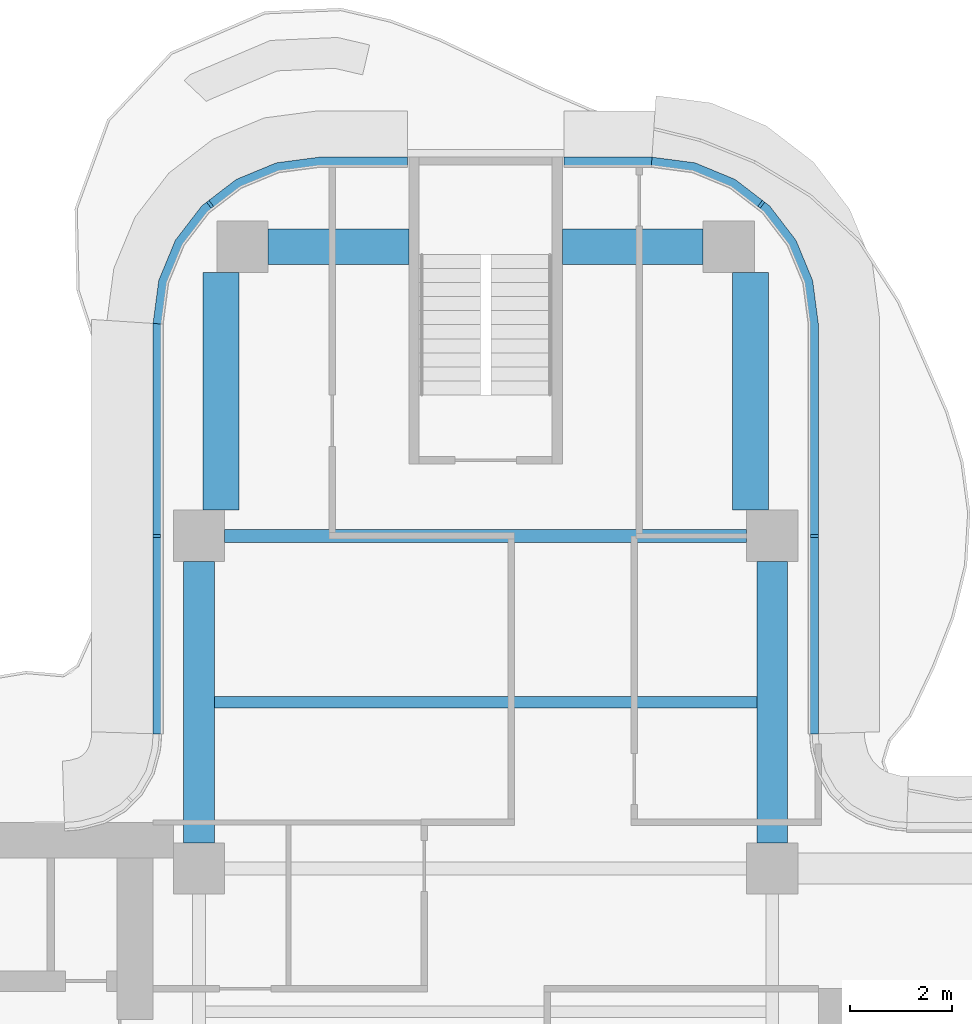
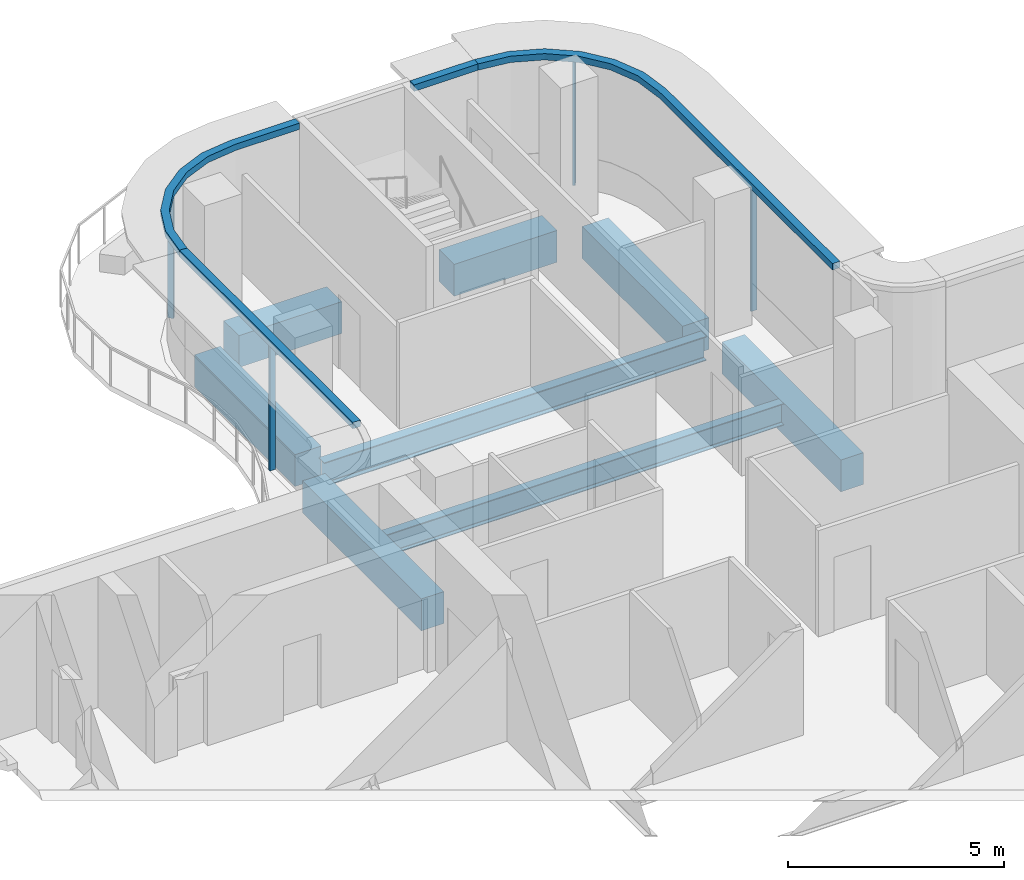
# One storey, part 7 of 16: 8 beams, 8 members, 4 elements without a shape of their own.
"""IFC4 building model written with IfcOpenShell, lengths in metres."""

from ifc_helpers import new_model, si_unit, direction, frame, origin, origin_2d, place, context, subcontext, project, spatial, polyline, rectangle, i_section, outline, extrude, source, transform, mapped, material, layer, layer_set, material_profile, profile_set, type_object, element, aggregate, save


model = new_model("IFC4")

# Units and contexts
model_context = context("Model", 3, precision=1e-05, world=origin(), true_north=direction((0.0, 1.0)))
body_context = subcontext(model_context, "Body", "Model", "MODEL_VIEW")
ifc_project = project(units=[si_unit("LENGTHUNIT", "METRE"), si_unit("AREAUNIT", "SQUARE_METRE"), si_unit("VOLUMEUNIT", "CUBIC_METRE"), si_unit("PLANEANGLEUNIT", "RADIAN"), si_unit("MASSUNIT", "GRAM", prefix="KILO")], contexts=[model_context])

# Site, building, storey
site_placement = place(None, origin())
site = spatial("IfcSite", under=ifc_project, at=site_placement, CompositionType="ELEMENT")
building_placement = place(site_placement, origin())
building = spatial("IfcBuilding", under=site, at=building_placement, Name="Trellis Farm Tower", CompositionType="ELEMENT")
storey_placement = place(building_placement, frame((0.0, 0.0, 322.300048828125)))
storey = spatial("IfcBuildingStorey", under=building, at=storey_placement, Name="L73", CompositionType="ELEMENT", Elevation=322.300048828125)

# Beams
ifc_material_1 = material(Name="Steel S355", Category="steel")
ifc_material_profile_1 = material_profile(ifc_material_1, i_section(OverallWidth=0.22900390625, OverallDepth=0.6123046875, WebThickness=0.011962890625, FlangeThickness=0.01953125, FilletRadius=0.0126953125, at=origin_2d()), Name="UB 610x229x125")
ifc_profile_set_1 = profile_set([ifc_material_profile_1], Name="Steel S355")
beam_type_1 = type_object("IfcBeamType", Name="UB 610x229x125 joist", PredefinedType="JOIST", material=ifc_profile_set_1)
shared_shape_1 = source(origin(), body_context, "Body", "SweptSolid", [
    extrude(i_section(OverallWidth=0.22900390625, OverallDepth=0.6123046875, WebThickness=0.011962890625, FlangeThickness=0.01953125, FilletRadius=0.0126953125, at=origin_2d()), origin(), (0.0, 0.0, 1.0), 10.60009765625),
])
beam_1_placement = place(storey_placement, frame((-5.300048828125, 8.85009765625, -0.506103515625), z_axis=(1.0, 0.0, 0.0), x_axis=(0.0, 1.0, 0.0)))
element("IfcBeam", 1, at=beam_1_placement, inside=storey, type_object=beam_type_1, Name="Floor beam", PredefinedType="JOIST", context=body_context, shape_type="MappedRepresentation", body=[
    mapped(shared_shape_1, transform((0.0, 0.0, 0.0))),
])
ifc_material_profile_2 = material_profile(ifc_material_1, i_section(OverallWidth=0.253662109375, OverallDepth=0.68359375, WebThickness=0.012451171875, FlangeThickness=0.021728515625, FilletRadius=0.01513671875, at=origin_2d()), Name="UB 686x254x140")
ifc_profile_set_2 = profile_set([ifc_material_profile_2], Name="Steel S355")
beam_type_2 = type_object("IfcBeamType", Name="UB 686x254x140", PredefinedType="BEAM", material=ifc_profile_set_2)
shared_shape_2 = source(origin(), body_context, "Body", "SweptSolid", [
    extrude(i_section(OverallWidth=0.253662109375, OverallDepth=0.68359375, WebThickness=0.012451171875, FlangeThickness=0.021728515625, FilletRadius=0.01513671875, at=origin_2d()), origin(), (0.0, 0.0, 1.0), 10.2001953125),
])
beam_2_placement = place(storey_placement, frame((-5.10009765625, 12.10009765625, -0.541748046875), z_axis=(1.0, 0.0, 0.0), x_axis=(0.0, 1.0, 0.0)))
element("IfcBeam", 2, at=beam_2_placement, inside=storey, type_object=beam_type_2, Name="Girder", PredefinedType="BEAM", context=body_context, shape_type="MappedRepresentation", body=[
    mapped(shared_shape_2, transform((0.0, 0.0, 0.0))),
])
ifc_material_2 = material(Name="Concrete C60/75", Category="concrete")
ifc_material_profile_3 = material_profile(ifc_material_2, rectangle(XDim=0.60009765625, YDim=0.89990234375, at=origin_2d()), Name="RC spandrel beam 600x900 C60/75")
ifc_profile_set_3 = profile_set([ifc_material_profile_3], Name="Concrete C60/75")
beam_type_3 = type_object("IfcBeamType", Name="RC spandrel beam 600x900 C60/75", PredefinedType="SPANDREL", material=ifc_profile_set_3)
shared_shape_3 = source(origin(), body_context, "Body", "SweptSolid", [
    extrude(rectangle(XDim=0.60009765625, YDim=0.89990234375, at=origin_2d()), origin(), (0.0, 0.0, 1.0), 5.5),
])
for number, where, z_axis, x_axis, name in (
    (3, (-5.60009765625, 6.10009765625, -0.650146484375), (0.0, 1.0, 0.0), (-1.0, 0.0, 0.0), "Girder"),
    (4, (5.60009765625, 6.10009765625, -0.650146484375), (0.0, 1.0, 0.0), (-1.0, 0.0, 0.0), "Girder"),
):
    element("IfcBeam", number, at=place(storey_placement, frame(where, z_axis=z_axis, x_axis=x_axis)), inside=storey, type_object=beam_type_3, Name=name, PredefinedType="SPANDREL", context=body_context, shape_type="MappedRepresentation", body=[
        mapped(shared_shape_3, transform((0.0, 0.0, 0.0))),
    ])
ifc_material_profile_4 = material_profile(ifc_material_2, rectangle(XDim=0.699951171875, YDim=0.89990234375, at=origin_2d()), Name="RC spandrel beam 700x900 C60/75")
ifc_profile_set_4 = profile_set([ifc_material_profile_4], Name="Concrete C60/75")
beam_type_4 = type_object("IfcBeamType", Name="RC spandrel beam 700x900 C60/75", PredefinedType="SPANDREL", material=ifc_profile_set_4)
shared_shape_4 = source(origin(), body_context, "Body", "SweptSolid", [
    extrude(rectangle(XDim=0.699951171875, YDim=0.89990234375, at=origin_2d()), origin(), (0.0, 0.0, 1.0), 4.64990234375),
])
for number, where, z_axis, x_axis, name in (
    (5, (-5.175048828125, 12.60009765625, -0.650146484375), (0.0, 1.0, 0.0), (-1.0, 0.0, 0.0), "Girder"),
    (6, (5.175048828125, 12.60009765625, -0.650146484375), (0.0, 1.0, 0.0), (-1.0, 0.0, 0.0), "Girder"),
):
    element("IfcBeam", number, at=place(storey_placement, frame(where, z_axis=z_axis, x_axis=x_axis)), inside=storey, type_object=beam_type_4, Name=name, PredefinedType="SPANDREL", context=body_context, shape_type="MappedRepresentation", body=[
        mapped(shared_shape_4, transform((0.0, 0.0, 0.0))),
    ])
shared_shape_5 = source(origin(), body_context, "Body", "SweptSolid", [
    extrude(rectangle(XDim=0.699951171875, YDim=0.89990234375, at=origin_2d()), origin(), (0.0, 0.0, 1.0), 2.75),
])
for number, where, z_axis, x_axis, name in (
    (7, (-4.25, 17.75, -0.650146484375), (1.0, 0.0, 0.0), (0.0, 1.0, 0.0), "Girder"),
    (8, (1.5, 17.75, -0.650146484375), (1.0, 0.0, 0.0), (0.0, 1.0, 0.0), "Girder"),
):
    element("IfcBeam", number, at=place(storey_placement, frame(where, z_axis=z_axis, x_axis=x_axis)), inside=storey, type_object=beam_type_4, Name=name, PredefinedType="SPANDREL", context=body_context, shape_type="MappedRepresentation", body=[
        mapped(shared_shape_5, transform((0.0, 0.0, 0.0))),
    ])

# Curtain wall, members
ifc_material_3 = material(Name="Aluminium and glass curtain wall", Category="aluminium")
ifc_layer_1 = layer(ifc_material_3, 0.18994140625)
ifc_layer_set_1 = layer_set([ifc_layer_1], Name="RIBBON CURTAIN WALL CW1")
curtain_wall_type = type_object("IfcCurtainWallType", Name="RIBBON CURTAIN WALL CW1", PredefinedType="NOTDEFINED", material=ifc_layer_set_1)
placement_1 = place(storey_placement, origin())
curtain_wall_1 = element("IfcCurtainWall", 9, at=placement_1, inside=storey, type_object=curtain_wall_type, Name="CW1 009", PredefinedType="NOTDEFINED")
ifc_material_4 = material(Name="Aluminium extrusion 6063-T6", Category="aluminium")
ifc_material_profile_5 = material_profile(ifc_material_4, rectangle(XDim=0.06005859375, YDim=0.14990234375, at=origin_2d()), Name="MULLION 60x150")
ifc_profile_set_5 = profile_set([ifc_material_profile_5], Name="Aluminium extrusion 6063-T6")
member_type_1 = type_object("IfcMemberType", Name="CW1 MULLION 60x150", PredefinedType="MULLION", material=ifc_profile_set_5)
shared_shape_6 = source(origin(), body_context, "Body", "SweptSolid", [
    extrude(rectangle(XDim=0.06005859375, YDim=0.14990234375, at=origin_2d()), origin(), (0.0, 0.0, 1.0), 3.52001953125),
])
member_1_placement = place(storey_placement, frame((6.425048828125, 12.10009765625, 0.0), z_axis=(0.0, 0.0, 1.0), x_axis=(0.0, 1.0, 0.0)))
member_1 = element("IfcMember", 10, at=member_1_placement, type_object=member_type_1, Name="MU1 009-01", PredefinedType="MULLION", context=body_context, shape_type="MappedRepresentation", body=[
    mapped(shared_shape_6, transform((0.0, 0.0, 0.0))),
])
member_2_placement = place(storey_placement, frame((5.385498046875, 18.578369140625, 0.0), z_axis=(0.0, 0.0, 1.0), x_axis=(-0.793353340291, 0.608761429009, 0.0)))
member_2 = element("IfcMember", 11, at=member_2_placement, type_object=member_type_1, Name="MU1 009-02", PredefinedType="MULLION", context=body_context, shape_type="MappedRepresentation", body=[
    mapped(shared_shape_6, transform((0.0, 0.0, 0.0))),
])

# Curtain wall, member
curtain_wall_2 = element("IfcCurtainWall", 12, at=placement_1, inside=storey, type_object=curtain_wall_type, Name="CW1 011", PredefinedType="NOTDEFINED")
member_3_placement = place(storey_placement, frame((-5.385498046875, 18.578369140625, 0.0), z_axis=(0.0, 0.0, 1.0), x_axis=(-0.793353340291, -0.608761429009, 0.0)))
member_3 = element("IfcMember", 13, at=member_3_placement, type_object=member_type_1, Name="MU1 011-01", PredefinedType="MULLION", context=body_context, shape_type="MappedRepresentation", body=[
    mapped(shared_shape_6, transform((0.0, 0.0, 0.0))),
])

curtain_wall_3 = element("IfcCurtainWall", 14, at=placement_1, inside=storey, type_object=curtain_wall_type, Name="CW1 012", PredefinedType="NOTDEFINED")
member_4_placement = place(storey_placement, frame((-6.425048828125, 12.10009765625, 0.0), z_axis=(0.0, 0.0, 1.0), x_axis=(0.0, -1.0, 0.0)))
member_4 = element("IfcMember", 15, at=member_4_placement, type_object=member_type_1, Name="MU1 012-01", PredefinedType="MULLION", context=body_context, shape_type="MappedRepresentation", body=[
    mapped(shared_shape_6, transform((0.0, 0.0, 0.0))),
])

# Member
ifc_layer_2 = layer(ifc_material_4, 0.199951171875)
ifc_layer_set_2 = layer_set([ifc_layer_2], Name="Aluminium extrusion 6063-T6")
member_type_2 = type_object("IfcMemberType", Name="CW1 TRANSOM 200x180", PredefinedType="USERDEFINED", material=ifc_layer_set_2)
shared_shape_7 = source(origin(), body_context, "Body", "SweptSolid", [
    extrude(outline(polyline([(6.5, 8.2314453125), (6.5, 16.25), (6.38916015625, 17.091064453125), (6.064697265625, 17.875), (5.548095703125, 18.548095703125), (4.875, 19.064697265625), (4.091064453125, 19.38916015625), (3.25, 19.5), (3.23681640625, 19.300048828125), (4.0390625, 19.1943359375), (4.774169921875, 18.889892578125), (5.405517578125, 18.405517578125), (5.889892578125, 17.774169921875), (6.1943359375, 17.0390625), (6.300048828125, 16.23681640625), (6.300048828125, 8.224853515625), (6.5, 8.2314453125)])), origin(), (0.0, 0.0, 1.0), 0.179931640625),
])
placement_2 = place(storey_placement, frame((0.0, 0.0, 3.52001953125)))
member_5 = element("IfcMember", 16, at=placement_2, type_object=member_type_2, Name="TR1 009", ObjectType="TRANSOM", PredefinedType="USERDEFINED", context=body_context, shape_type="MappedRepresentation", body=[
    mapped(shared_shape_7, transform((0.0, 0.0, 0.0))),
])

aggregate(curtain_wall_1, [member_1, member_2, member_5])

# Curtain wall, member
curtain_wall_4 = element("IfcCurtainWall", 17, at=placement_1, inside=storey, type_object=curtain_wall_type, Name="CW1 010", PredefinedType="NOTDEFINED")
shared_shape_8 = source(origin(), body_context, "Body", "SweptSolid", [
    extrude(outline(polyline([(3.25, 19.5), (1.530029296875, 19.5), (1.530029296875, 19.300048828125), (3.23681640625, 19.300048828125), (3.25, 19.5)])), origin(), (0.0, 0.0, 1.0), 0.179931640625),
])
member_6 = element("IfcMember", 18, at=placement_2, type_object=member_type_2, Name="TR1 010", ObjectType="TRANSOM", PredefinedType="USERDEFINED", context=body_context, shape_type="MappedRepresentation", body=[
    mapped(shared_shape_8, transform((0.0, 0.0, 0.0))),
])
aggregate(curtain_wall_4, [member_6])

# Member
shared_shape_9 = source(origin(), body_context, "Body", "SweptSolid", [
    extrude(outline(polyline([(-6.5, 16.25), (-6.5, 8.2314453125), (-6.300048828125, 8.224853515625), (-6.300048828125, 16.23681640625), (-6.5, 16.25)])), origin(), (0.0, 0.0, 1.0), 0.179931640625),
])
member_7 = element("IfcMember", 19, at=placement_2, type_object=member_type_2, Name="TR1 012", ObjectType="TRANSOM", PredefinedType="USERDEFINED", context=body_context, shape_type="MappedRepresentation", body=[
    mapped(shared_shape_9, transform((0.0, 0.0, 0.0))),
])

aggregate(curtain_wall_3, [member_4, member_7])

shared_shape_10 = source(origin(), body_context, "Body", "SweptSolid", [
    extrude(outline(polyline([(-1.530029296875, 19.5), (-3.25, 19.5), (-4.091064453125, 19.38916015625), (-4.875, 19.064697265625), (-5.548095703125, 18.548095703125), (-6.064697265625, 17.875), (-6.38916015625, 17.091064453125), (-6.5, 16.25), (-6.300048828125, 16.23681640625), (-6.1943359375, 17.0390625), (-5.889892578125, 17.774169921875), (-5.405517578125, 18.405517578125), (-4.774169921875, 18.889892578125), (-4.0390625, 19.1943359375), (-3.23681640625, 19.300048828125), (-1.530029296875, 19.300048828125), (-1.530029296875, 19.5)])), origin(), (0.0, 0.0, 1.0), 0.179931640625),
])
member_8 = element("IfcMember", 20, at=placement_2, type_object=member_type_2, Name="TR1 011", ObjectType="TRANSOM", PredefinedType="USERDEFINED", context=body_context, shape_type="MappedRepresentation", body=[
    mapped(shared_shape_10, transform((0.0, 0.0, 0.0))),
])

aggregate(curtain_wall_2, [member_3, member_8])

save(model, "model.ifc")
